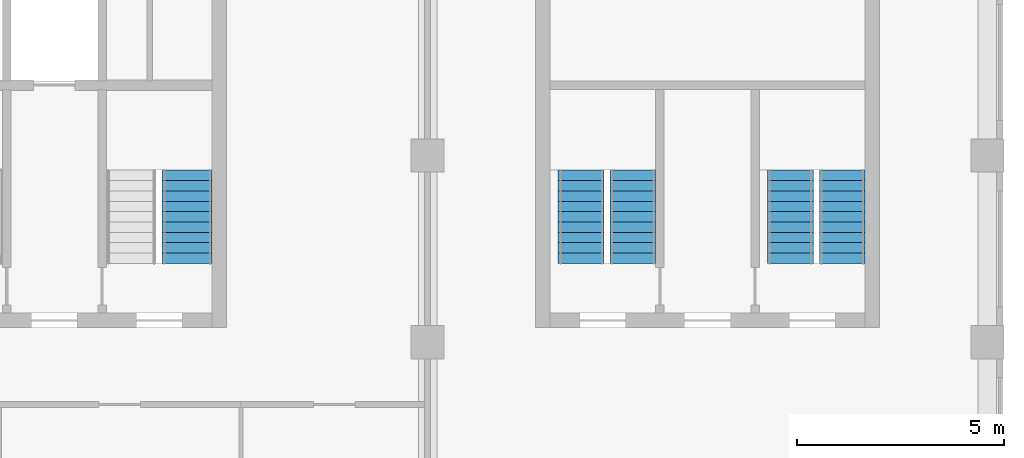
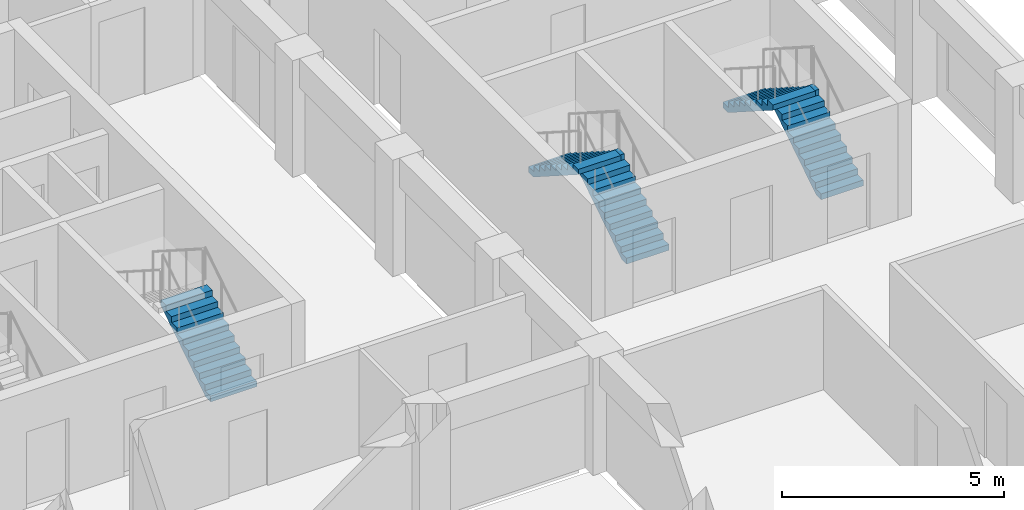
# One storey, part 8 of 10: 5 stair flights, 3 elements without a shape of their own.
"""IFC4 building model written with IfcOpenShell, lengths in metres."""

import ifcopenshell
import ifcopenshell.guid

model = None  # the IFC model being written
_history = None  # IfcOwnerHistory: only IFC2X3 demands one
_inside = {}  # id of a spatial element -> (the spatial element, [elements in it])
_under = {}  # id of a project, library or spatial element -> (it, [spatial elements below it])
_declared = {}  # id of a project -> (the project, [libraries it declares])
_typed = {}  # id of a type object -> (the type object, [elements of that type])
_made_of = {}  # id of a material, layer set ... -> (it, [elements and type objects made of it])


def new_model(schema):
    """Start an empty IFC model of exactly this schema.

    Asked for "IFC4X3", IfcOpenShell would pick the latest addendum, in which some entities
    have other attributes; the version numbers below select the first issue.
    IFC2X3 requires an IfcOwnerHistory on every rooted entity: one is made here for all.
    """
    global model, _history
    if schema == "IFC4X3":
        model = ifcopenshell.file(schema_version=(4, 3, 0, 0))
    else:
        model = ifcopenshell.file(schema=schema)
    _inside.clear()
    _under.clear()
    _declared.clear()
    _typed.clear()
    _made_of.clear()
    _history = None
    if model.schema == "IFC2X3":
        org = make("IfcOrganization", Name="unknown")
        user = make(
            "IfcPersonAndOrganization",
            ThePerson=make("IfcPerson", FamilyName="unknown"),
            TheOrganization=org,
        )
        app = make(
            "IfcApplication",
            ApplicationDeveloper=org,
            Version="unknown",
            ApplicationFullName="unknown",
            ApplicationIdentifier="unknown",
        )
        _history = make(
            "IfcOwnerHistory",
            OwningUser=user,
            OwningApplication=app,
            ChangeAction="ADDED",
            CreationDate=0,
        )
    return model


def make(cls, **values):
    """One entity of the class cls with the attributes given. An attribute that is None is left unset."""
    return model.create_entity(
        cls, **{name: value for name, value in values.items() if value is not None}
    )


def rooted(cls, **values):
    """An entity with a GlobalId (a new one), such as an element, a storey or a relation."""
    return make(cls, GlobalId=ifcopenshell.guid.new(), OwnerHistory=_history, **values)


def si_unit(unit_type, name, prefix=None):
    """IfcSIUnit, for example si_unit("LENGTHUNIT", "METRE", prefix="MILLI")."""
    return make("IfcSIUnit", UnitType=unit_type, Prefix=prefix, Name=name)


def assignment(units):
    """IfcUnitAssignment: the units of a project."""
    return None if units is None else make("IfcUnitAssignment", Units=units)


def point(xyz):
    """IfcCartesianPoint."""
    return None if xyz is None else make("IfcCartesianPoint", Coordinates=xyz)


def direction(xyz):
    """IfcDirection."""
    return None if xyz is None else make("IfcDirection", DirectionRatios=xyz)


def frame(location, z_axis=None, x_axis=None):
    """IfcAxis2Placement3D, a coordinate frame: its origin and axes. An axis left out is left unset."""
    return make(
        "IfcAxis2Placement3D",
        Location=point(location),
        Axis=direction(z_axis),
        RefDirection=direction(x_axis),
    )


def origin():
    """The frame at (0, 0, 0) with its axes left unset."""
    return frame((0.0, 0.0, 0.0))


def place(relative_to, where):
    """IfcLocalPlacement: puts the frame where relative to a parent placement (None: the world)."""
    return make(
        "IfcLocalPlacement", PlacementRelTo=relative_to, RelativePlacement=where
    )


def context(
    kind, dimensions, precision=None, world=None, true_north=None, identifier=None
):
    """IfcGeometricRepresentationContext, for example the 3D "Model" context."""
    return make(
        "IfcGeometricRepresentationContext",
        ContextIdentifier=identifier,
        ContextType=kind,
        CoordinateSpaceDimension=dimensions,
        Precision=precision,
        WorldCoordinateSystem=world,
        TrueNorth=true_north,
    )


def subcontext(parent, identifier, kind, view, scale=None):
    """IfcGeometricRepresentationSubContext, for example "Body" below "Model"."""
    return make(
        "IfcGeometricRepresentationSubContext",
        ContextIdentifier=identifier,
        ContextType=kind,
        ParentContext=parent,
        TargetScale=scale,
        TargetView=view,
    )


def project(units=None, contexts=None):
    """IfcProject with its units and contexts."""
    return rooted(
        "IfcProject",
        Name="project",
        RepresentationContexts=contexts,
        UnitsInContext=assignment(units),
    )


def spatial(cls, under=None, at=None, **own):
    """A site, building, storey or space (cls), placed at a placement, below another one or the project."""
    s = rooted(cls, ObjectPlacement=at, **own)
    if under is not None:
        _under.setdefault(under.id(), (under, []))[1].append(s)
    return s


def polyline(points):
    """IfcPolyline through the points."""
    return make("IfcPolyline", Points=[point(p) for p in points])


def outline(outer, holes=None, kind="AREA"):
    """IfcArbitraryClosedProfileDef: a profile drawn as a closed curve; with holes, ...WithVoids."""
    if holes is None:
        return make("IfcArbitraryClosedProfileDef", ProfileType=kind, OuterCurve=outer)
    return make(
        "IfcArbitraryProfileDefWithVoids",
        ProfileType=kind,
        OuterCurve=outer,
        InnerCurves=holes,
    )


def extrude(swept, where, along, depth):
    """IfcExtrudedAreaSolid: the profile swept, set in the frame where, extruded along a direction by depth."""
    return make(
        "IfcExtrudedAreaSolid",
        SweptArea=swept,
        Position=where,
        ExtrudedDirection=direction(along),
        Depth=depth,
    )


def shape(context_of_items, identifier, shape_type, items):
    """IfcShapeRepresentation: the items that make up one representation, for example the "Body"."""
    return make(
        "IfcShapeRepresentation",
        ContextOfItems=context_of_items,
        RepresentationIdentifier=identifier,
        RepresentationType=shape_type,
        Items=items,
    )


def material(Name=None, Category=None):
    """IfcMaterial."""
    return make("IfcMaterial", Name=Name, Category=Category)


def made_of(thing, what):
    """Note that an element or type object is made of a material, layer set ...; save() writes the relation."""
    if what is not None:
        _made_of.setdefault(what.id(), (what, []))[1].append(thing)
    return thing


def type_object(cls, material=None, **own):
    """A type object (cls), such as IfcWallType, which elements share."""
    return made_of(rooted(cls, **own), material)


def element(
    cls,
    number,
    at=None,
    inside=None,
    cuts=None,
    type_object=None,
    material=None,
    context=None,
    identifier="Body",
    shape_type=None,
    held_by="IfcProductDefinitionShape",
    body=None,
    shapes=None,
    **own,
):
    """One element of the class cls, such as IfcWall. Its Tag is "e" and its number.

    at: its placement. inside: the storey or other place that contains it. cuts: it is an
    opening in that element (IfcRelVoidsElement). A single representation is given by context,
    identifier, shape_type and body (its items); several are given by shapes. held_by: the class
    of the entity that holds the representations. save() writes the other relations.
    """
    e = rooted(cls, Tag="e%d" % number, ObjectPlacement=at, **own)
    if body is not None:
        shapes = [shape(context, identifier, shape_type, body)]
    if shapes is not None:
        e.Representation = make(held_by, Representations=shapes)
    if inside is not None:
        _inside.setdefault(inside.id(), (inside, []))[1].append(e)
    if cuts is not None:
        rooted(
            "IfcRelVoidsElement", RelatingBuildingElement=cuts, RelatedOpeningElement=e
        )
    if type_object is not None:
        _typed.setdefault(type_object.id(), (type_object, []))[1].append(e)
    return made_of(e, material)


def aggregate(whole, parts):
    """IfcRelAggregates: a whole, such as a stair, and the parts it consists of."""
    return rooted("IfcRelAggregates", RelatingObject=whole, RelatedObjects=parts)


def save(model, path):
    """Write the relations noted so far, then the file.

    IfcRelAggregates (storeys below a building ...), IfcRelContainedInSpatialStructure (elements
    in a storey), IfcRelDefinesByType, IfcRelAssociatesMaterial and IfcRelDeclares: one each for
    every whole, place, type object, material and project.
    """
    for whole, parts in _under.values():
        aggregate(whole, parts)
    for where, things in _inside.values():
        rooted(
            "IfcRelContainedInSpatialStructure",
            RelatedElements=things,
            RelatingStructure=where,
        )
    for kind, things in _typed.values():
        rooted("IfcRelDefinesByType", RelatedObjects=things, RelatingType=kind)
    for what, things in _made_of.values():
        rooted("IfcRelAssociatesMaterial", RelatedObjects=things, RelatingMaterial=what)
    for by, libraries in _declared.values():
        rooted("IfcRelDeclares", RelatingContext=by, RelatedDefinitions=libraries)
    model.write(path)


model = new_model("IFC4")

# Units and contexts
model_context = context("Model", 3, precision=1e-05, world=origin(), true_north=direction((0.0, 1.0)))
body_context = subcontext(model_context, "Body", "Model", "MODEL_VIEW")
ifc_project = project(units=[si_unit("LENGTHUNIT", "METRE"), si_unit("AREAUNIT", "SQUARE_METRE"), si_unit("VOLUMEUNIT", "CUBIC_METRE"), si_unit("PLANEANGLEUNIT", "RADIAN"), si_unit("MASSUNIT", "GRAM", prefix="KILO")], contexts=[model_context])

# Site, building, storey
site_placement = place(None, origin())
site = spatial("IfcSite", under=ifc_project, at=site_placement, CompositionType="ELEMENT")
building_placement = place(site_placement, origin())
building = spatial("IfcBuilding", under=site, at=building_placement, Name="Girih Gate Residences", CompositionType="ELEMENT")
storey_placement = place(building_placement, frame((0.0, 0.0, 192.300048828125)))
storey = spatial("IfcBuildingStorey", under=building, at=storey_placement, Name="L53", CompositionType="ELEMENT", Elevation=192.300048828125)

# Stair, stair flights
ifc_material = material(Name="Concrete C40/50", Category="concrete")
stair_type_1 = type_object("IfcStairType", Name="Exit stair C core", PredefinedType="HALF_TURN_STAIR", material=ifc_material)
stair_1_placement = place(storey_placement, origin())
stair_1 = element("IfcStair", 1, at=stair_1_placement, inside=storey, type_object=stair_type_1, Name="L53 Exit Stair ST-C1", PredefinedType="HALF_TURN_STAIR")
stair_flight_type_1 = type_object("IfcStairFlightType", Name="Stair flight 1100", PredefinedType="STRAIGHT", material=ifc_material)
stair_flight_1_placement = place(storey_placement, frame((22.949951171875, 28.89990234375, 0.0), z_axis=(0.0, 0.0, 1.0), x_axis=(0.0, 1.0, 0.0)))
stair_flight_1 = element("IfcStairFlight", 2, at=stair_flight_1_placement, type_object=stair_flight_type_1, Name="ST-C1 flight 1", NumberOfRisers=10, NumberOfTreads=9, PredefinedType="STRAIGHT", RiserHeight=0.16, TreadLength=0.25, context=body_context, shape_type="SweptSolid", body=[
    extrude(outline(polyline([(0.0, 0.0), (0.0, 0.159912109375), (0.25, 0.159912109375), (0.25, 0.320068359375), (0.5, 0.320068359375), (0.5, 0.47998046875), (0.75, 0.47998046875), (0.75, 0.639892578125), (1.0, 0.639892578125), (1.0, 0.800048828125), (1.25, 0.800048828125), (1.25, 0.9599609375), (1.5, 0.9599609375), (1.5, 1.1201171875), (1.75, 1.1201171875), (1.75, 1.280029296875), (2.0, 1.280029296875), (2.0, 1.43994140625), (2.25, 1.43994140625), (2.25, 1.60009765625), (2.25, 1.29736328125), (0.222900390625, 0.0), (0.0, 0.0)])), frame((0.0, 0.550048828125, 0.0), z_axis=(0.0, -1.0, 0.0), x_axis=(1.0, 0.0, 0.0)), (0.0, 0.0, 1.0), 1.10009765625),
])
stair_flight_2_placement = place(storey_placement, frame((21.699951171875, 31.14990234375, 1.599853515625), z_axis=(0.0, 0.0, 1.0), x_axis=(0.0, -1.0, 0.0)))
stair_flight_2 = element("IfcStairFlight", 3, at=stair_flight_2_placement, type_object=stair_flight_type_1, Name="ST-C1 flight 2", NumberOfRisers=10, NumberOfTreads=9, PredefinedType="STRAIGHT", RiserHeight=0.16, TreadLength=0.25, context=body_context, shape_type="SweptSolid", body=[
    extrude(outline(polyline([(0.0, 0.0), (0.0, 0.159912109375), (0.25, 0.159912109375), (0.25, 0.320068359375), (0.5, 0.320068359375), (0.5, 0.47998046875), (0.75, 0.47998046875), (0.75, 0.639892578125), (1.0, 0.639892578125), (1.0, 0.800048828125), (1.25, 0.800048828125), (1.25, 0.9599609375), (1.5, 0.9599609375), (1.5, 1.1201171875), (1.75, 1.1201171875), (1.75, 1.280029296875), (2.0, 1.280029296875), (2.0, 1.43994140625), (2.25, 1.43994140625), (2.25, 1.60009765625), (2.25, 1.29736328125), (0.222900390625, 0.0), (0.0, 0.0)])), frame((0.0, 0.550048828125, 0.0), z_axis=(0.0, -1.0, 0.0), x_axis=(1.0, 0.0, 0.0)), (0.0, 0.0, 1.0), 1.10009765625),
])
aggregate(stair_1, [stair_flight_1, stair_flight_2])

stair_2_placement = place(storey_placement, origin())
stair_2 = element("IfcStair", 4, at=stair_2_placement, inside=storey, type_object=stair_type_1, Name="L53 Exit Stair ST-C2", PredefinedType="HALF_TURN_STAIR")
stair_flight_3_placement = place(storey_placement, frame((28.0, 28.89990234375, 0.0), z_axis=(0.0, 0.0, 1.0), x_axis=(0.0, 1.0, 0.0)))
stair_flight_3 = element("IfcStairFlight", 5, at=stair_flight_3_placement, type_object=stair_flight_type_1, Name="ST-C2 flight 1", NumberOfRisers=10, NumberOfTreads=9, PredefinedType="STRAIGHT", RiserHeight=0.16, TreadLength=0.25, context=body_context, shape_type="SweptSolid", body=[
    extrude(outline(polyline([(0.0, 0.0), (0.0, 0.159912109375), (0.25, 0.159912109375), (0.25, 0.320068359375), (0.5, 0.320068359375), (0.5, 0.47998046875), (0.75, 0.47998046875), (0.75, 0.639892578125), (1.0, 0.639892578125), (1.0, 0.800048828125), (1.25, 0.800048828125), (1.25, 0.9599609375), (1.5, 0.9599609375), (1.5, 1.1201171875), (1.75, 1.1201171875), (1.75, 1.280029296875), (2.0, 1.280029296875), (2.0, 1.43994140625), (2.25, 1.43994140625), (2.25, 1.60009765625), (2.25, 1.29736328125), (0.222900390625, 0.0), (0.0, 0.0)])), frame((0.0, 0.550048828125, 0.0), z_axis=(0.0, -1.0, 0.0), x_axis=(1.0, 0.0, 0.0)), (0.0, 0.0, 1.0), 1.10009765625),
])
stair_flight_4_placement = place(storey_placement, frame((26.75, 31.14990234375, 1.599853515625), z_axis=(0.0, 0.0, 1.0), x_axis=(0.0, -1.0, 0.0)))
stair_flight_4 = element("IfcStairFlight", 6, at=stair_flight_4_placement, type_object=stair_flight_type_1, Name="ST-C2 flight 2", NumberOfRisers=10, NumberOfTreads=9, PredefinedType="STRAIGHT", RiserHeight=0.16, TreadLength=0.25, context=body_context, shape_type="SweptSolid", body=[
    extrude(outline(polyline([(0.0, 0.0), (0.0, 0.159912109375), (0.25, 0.159912109375), (0.25, 0.320068359375), (0.5, 0.320068359375), (0.5, 0.47998046875), (0.75, 0.47998046875), (0.75, 0.639892578125), (1.0, 0.639892578125), (1.0, 0.800048828125), (1.25, 0.800048828125), (1.25, 0.9599609375), (1.5, 0.9599609375), (1.5, 1.1201171875), (1.75, 1.1201171875), (1.75, 1.280029296875), (2.0, 1.280029296875), (2.0, 1.43994140625), (2.25, 1.43994140625), (2.25, 1.60009765625), (2.25, 1.29736328125), (0.222900390625, 0.0), (0.0, 0.0)])), frame((0.0, 0.550048828125, 0.0), z_axis=(0.0, -1.0, 0.0), x_axis=(1.0, 0.0, 0.0)), (0.0, 0.0, 1.0), 1.10009765625),
])
aggregate(stair_2, [stair_flight_3, stair_flight_4])

# Stair, stair flight
stair_type_2 = type_object("IfcStairType", Name="Exit stair", PredefinedType="HALF_TURN_STAIR", material=ifc_material)
stair_3_placement = place(storey_placement, origin())
stair_3 = element("IfcStair", 7, at=stair_3_placement, inside=storey, type_object=stair_type_2, Name="L53 Exit Stair ST-W2", PredefinedType="HALF_TURN_STAIR")
stair_flight_type_2 = type_object("IfcStairFlightType", Name="Stair flight 1200", PredefinedType="STRAIGHT", material=ifc_material)
stair_flight_5_placement = place(storey_placement, frame((12.199951171875, 28.89990234375, 0.0), z_axis=(0.0, 0.0, 1.0), x_axis=(0.0, 1.0, 0.0)))
stair_flight_5 = element("IfcStairFlight", 8, at=stair_flight_5_placement, type_object=stair_flight_type_2, Name="ST-W2 flight 1", NumberOfRisers=10, NumberOfTreads=9, PredefinedType="STRAIGHT", RiserHeight=0.16, TreadLength=0.25, context=body_context, shape_type="SweptSolid", body=[
    extrude(outline(polyline([(0.0, 0.0), (0.0, 0.159912109375), (0.25, 0.159912109375), (0.25, 0.320068359375), (0.5, 0.320068359375), (0.5, 0.47998046875), (0.75, 0.47998046875), (0.75, 0.639892578125), (1.0, 0.639892578125), (1.0, 0.800048828125), (1.25, 0.800048828125), (1.25, 0.9599609375), (1.5, 0.9599609375), (1.5, 1.1201171875), (1.75, 1.1201171875), (1.75, 1.280029296875), (2.0, 1.280029296875), (2.0, 1.43994140625), (2.25, 1.43994140625), (2.25, 1.60009765625), (2.25, 1.29736328125), (0.222900390625, 0.0), (0.0, 0.0)])), frame((0.0, 0.60009765625, 0.0), z_axis=(0.0, -1.0, 0.0), x_axis=(1.0, 0.0, 0.0)), (0.0, 0.0, 1.0), 1.199951171875),
])
aggregate(stair_3, [stair_flight_5])

save(model, "model.ifc")
